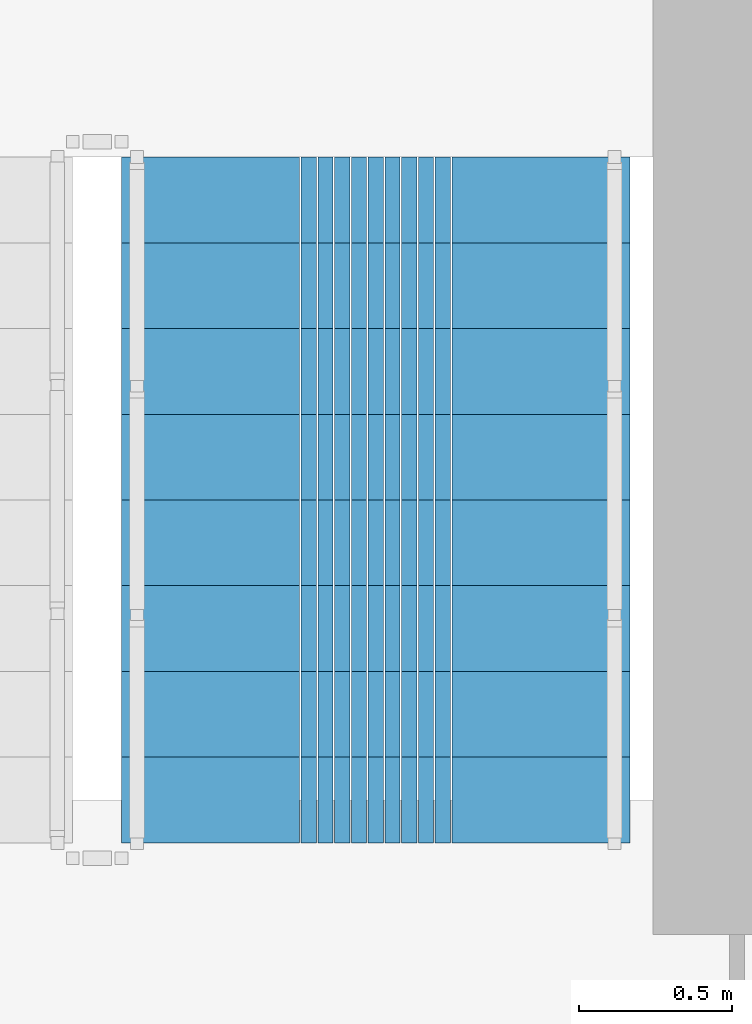
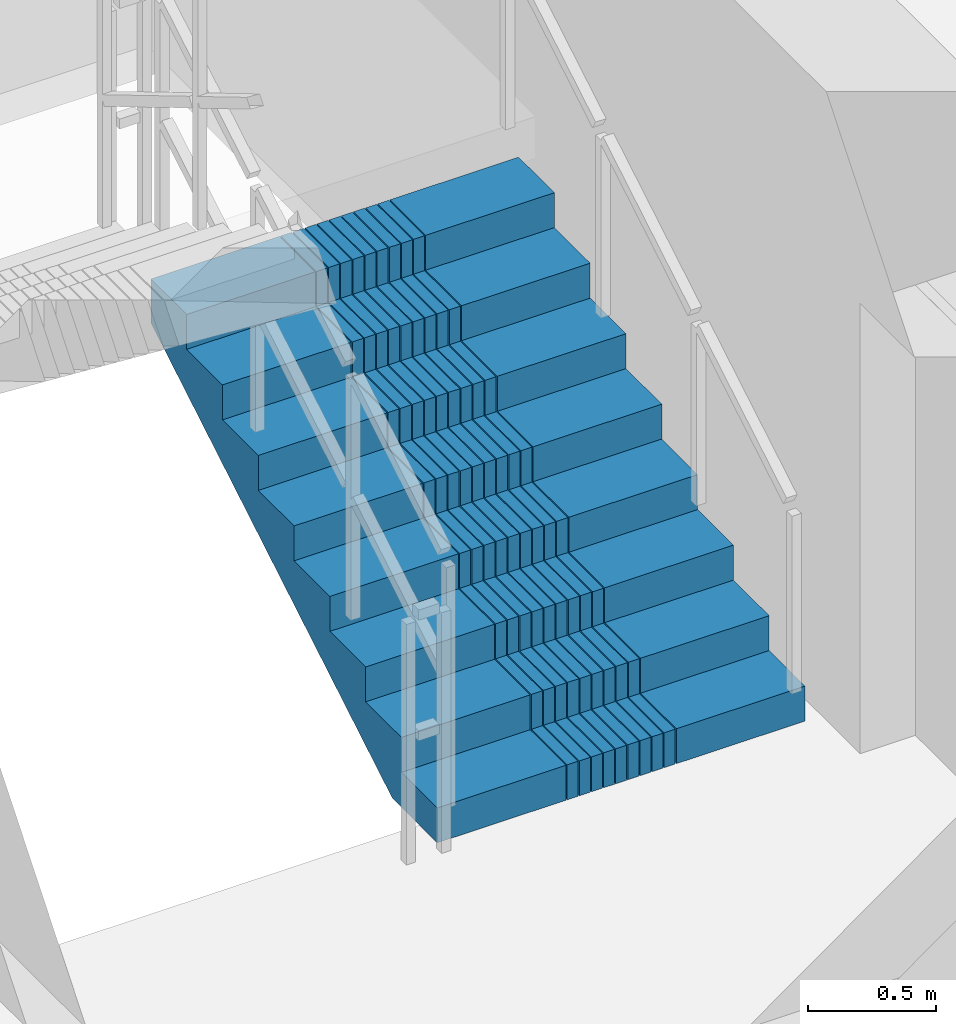
# One storey, part 9 of 13: 1 stair flight, 1 element without a shape of its own.
"""IFC4 building model written with IfcOpenShell, lengths in metres."""

from ifc_helpers import new_model, si_unit, direction, frame, origin, place, context, subcontext, project, spatial, polyline, outline, extrude, material, type_object, element, aggregate, save


model = new_model("IFC4")

# Units and contexts
model_context = context("Model", 3, precision=1e-05, world=origin(), true_north=direction((0.0, 1.0)))
body_context = subcontext(model_context, "Body", "Model", "MODEL_VIEW")
ifc_project = project(units=[si_unit("LENGTHUNIT", "METRE"), si_unit("AREAUNIT", "SQUARE_METRE"), si_unit("VOLUMEUNIT", "CUBIC_METRE"), si_unit("PLANEANGLEUNIT", "RADIAN"), si_unit("MASSUNIT", "GRAM", prefix="KILO")], contexts=[model_context])

# Site, building, storey
site_placement = place(None, origin())
site = spatial("IfcSite", under=ifc_project, at=site_placement, CompositionType="ELEMENT")
building_placement = place(site_placement, origin())
building = spatial("IfcBuilding", under=site, at=building_placement, Name="Saelheon Loggia Tower", CompositionType="ELEMENT")
storey_placement = place(building_placement, frame((0.0, 0.0, 132.75)))
storey = spatial("IfcBuildingStorey", under=building, at=storey_placement, Name="L42", CompositionType="ELEMENT", Elevation=132.75)

# Stair, stair flight
ifc_material = material(Name="Concrete C40/50", Category="concrete")
stair_type = type_object("IfcStairType", Name="Stair_Escape_Core", PredefinedType="HALF_TURN_STAIR", material=ifc_material)
stair_placement = place(storey_placement, origin())
stair = element("IfcStair", 1, at=stair_placement, inside=storey, type_object=stair_type, Name="L42 Special Escape Stair ST2", PredefinedType="HALF_TURN_STAIR")
stair_flight_type = type_object("IfcStairFlightType", Name="StairFlight_Tower_1660", PredefinedType="STRAIGHT", material=ifc_material)
stair_flight_placement = place(storey_placement, frame((43.320068359375, 30.449951171875, 0.0), z_axis=(0.0, 0.0, 1.0), x_axis=(0.0, 1.0, 0.0)))
stair_flight = element("IfcStairFlight", 2, at=stair_flight_placement, type_object=stair_flight_type, Name="ST2 flight 1", NumberOfRisers=9, NumberOfTreads=8, PredefinedType="STRAIGHT", RiserHeight=0.166666667, TreadLength=0.28, context=body_context, shape_type="SweptSolid", body=[
    extrude(outline(polyline([(0.0, 0.0), (0.0, 0.166748046875), (0.280029296875, 0.166748046875), (0.280029296875, 0.333251953125), (0.56005859375, 0.333251953125), (0.56005859375, 0.5), (0.840087890625, 0.5), (0.840087890625, 0.666748046875), (1.1201171875, 0.666748046875), (1.1201171875, 0.833251953125), (1.39990234375, 0.833251953125), (1.39990234375, 1.0), (1.679931640625, 1.0), (1.679931640625, 1.166748046875), (1.9599609375, 1.166748046875), (1.9599609375, 1.333251953125), (2.239990234375, 1.333251953125), (2.239990234375, 1.5), (2.239990234375, 1.1240234375), (0.351806640625, 0.0), (0.0, 0.0)])), frame((0.0, -0.2490234375, 0.0), z_axis=(0.0, -1.0, 0.0), x_axis=(1.0, 0.0, 0.0)), (0.0, 0.0, 1.0), 0.5810546875),
    extrude(outline(polyline([(0.0, 0.0), (0.0, 0.166748046875), (0.280029296875, 0.166748046875), (0.280029296875, 0.333251953125), (0.56005859375, 0.333251953125), (0.56005859375, 0.5), (0.840087890625, 0.5), (0.840087890625, 0.666748046875), (1.1201171875, 0.666748046875), (1.1201171875, 0.833251953125), (1.39990234375, 0.833251953125), (1.39990234375, 1.0), (1.679931640625, 1.0), (1.679931640625, 1.166748046875), (1.9599609375, 1.166748046875), (1.9599609375, 1.333251953125), (2.239990234375, 1.333251953125), (2.239990234375, 1.5), (2.239990234375, 1.1240234375), (0.351806640625, 0.0), (0.0, 0.0)])), frame((0.0, -0.194091796875, 0.0), z_axis=(0.0, -1.0, 0.0), x_axis=(1.0, 0.0, 0.0)), (0.0, 0.0, 1.0), 0.0498046875),
    extrude(outline(polyline([(0.0, 0.0), (0.0, 0.166748046875), (0.280029296875, 0.166748046875), (0.280029296875, 0.333251953125), (0.56005859375, 0.333251953125), (0.56005859375, 0.5), (0.840087890625, 0.5), (0.840087890625, 0.666748046875), (1.1201171875, 0.666748046875), (1.1201171875, 0.833251953125), (1.39990234375, 0.833251953125), (1.39990234375, 1.0), (1.679931640625, 1.0), (1.679931640625, 1.166748046875), (1.9599609375, 1.166748046875), (1.9599609375, 1.333251953125), (2.239990234375, 1.333251953125), (2.239990234375, 1.5), (2.239990234375, 1.1240234375), (0.351806640625, 0.0), (0.0, 0.0)])), frame((0.0, -0.139404296875, 0.0), z_axis=(0.0, -1.0, 0.0), x_axis=(1.0, 0.0, 0.0)), (0.0, 0.0, 1.0), 0.0498046875),
    extrude(outline(polyline([(0.0, 0.0), (0.0, 0.166748046875), (0.280029296875, 0.166748046875), (0.280029296875, 0.333251953125), (0.56005859375, 0.333251953125), (0.56005859375, 0.5), (0.840087890625, 0.5), (0.840087890625, 0.666748046875), (1.1201171875, 0.666748046875), (1.1201171875, 0.833251953125), (1.39990234375, 0.833251953125), (1.39990234375, 1.0), (1.679931640625, 1.0), (1.679931640625, 1.166748046875), (1.9599609375, 1.166748046875), (1.9599609375, 1.333251953125), (2.239990234375, 1.333251953125), (2.239990234375, 1.5), (2.239990234375, 1.1240234375), (0.351806640625, 0.0), (0.0, 0.0)])), frame((0.0, -0.084716796875, 0.0), z_axis=(0.0, -1.0, 0.0), x_axis=(1.0, 0.0, 0.0)), (0.0, 0.0, 1.0), 0.0498046875),
    extrude(outline(polyline([(0.0, 0.0), (0.0, 0.166748046875), (0.280029296875, 0.166748046875), (0.280029296875, 0.333251953125), (0.56005859375, 0.333251953125), (0.56005859375, 0.5), (0.840087890625, 0.5), (0.840087890625, 0.666748046875), (1.1201171875, 0.666748046875), (1.1201171875, 0.833251953125), (1.39990234375, 0.833251953125), (1.39990234375, 1.0), (1.679931640625, 1.0), (1.679931640625, 1.166748046875), (1.9599609375, 1.166748046875), (1.9599609375, 1.333251953125), (2.239990234375, 1.333251953125), (2.239990234375, 1.5), (2.239990234375, 1.1240234375), (0.351806640625, 0.0), (0.0, 0.0)])), frame((0.0, -0.02978515625, 0.0), z_axis=(0.0, -1.0, 0.0), x_axis=(1.0, 0.0, 0.0)), (0.0, 0.0, 1.0), 0.0498046875),
    extrude(outline(polyline([(0.0, 0.0), (0.0, 0.166748046875), (0.280029296875, 0.166748046875), (0.280029296875, 0.333251953125), (0.56005859375, 0.333251953125), (0.56005859375, 0.5), (0.840087890625, 0.5), (0.840087890625, 0.666748046875), (1.1201171875, 0.666748046875), (1.1201171875, 0.833251953125), (1.39990234375, 0.833251953125), (1.39990234375, 1.0), (1.679931640625, 1.0), (1.679931640625, 1.166748046875), (1.9599609375, 1.166748046875), (1.9599609375, 1.333251953125), (2.239990234375, 1.333251953125), (2.239990234375, 1.5), (2.239990234375, 1.1240234375), (0.351806640625, 0.0), (0.0, 0.0)])), frame((0.0, 0.02490234375, 0.0), z_axis=(0.0, -1.0, 0.0), x_axis=(1.0, 0.0, 0.0)), (0.0, 0.0, 1.0), 0.0498046875),
    extrude(outline(polyline([(0.0, 0.0), (0.0, 0.166748046875), (0.280029296875, 0.166748046875), (0.280029296875, 0.333251953125), (0.56005859375, 0.333251953125), (0.56005859375, 0.5), (0.840087890625, 0.5), (0.840087890625, 0.666748046875), (1.1201171875, 0.666748046875), (1.1201171875, 0.833251953125), (1.39990234375, 0.833251953125), (1.39990234375, 1.0), (1.679931640625, 1.0), (1.679931640625, 1.166748046875), (1.9599609375, 1.166748046875), (1.9599609375, 1.333251953125), (2.239990234375, 1.333251953125), (2.239990234375, 1.5), (2.239990234375, 1.1240234375), (0.351806640625, 0.0), (0.0, 0.0)])), frame((0.0, 0.07958984375, 0.0), z_axis=(0.0, -1.0, 0.0), x_axis=(1.0, 0.0, 0.0)), (0.0, 0.0, 1.0), 0.0498046875),
    extrude(outline(polyline([(0.0, 0.0), (0.0, 0.166748046875), (0.280029296875, 0.166748046875), (0.280029296875, 0.333251953125), (0.56005859375, 0.333251953125), (0.56005859375, 0.5), (0.840087890625, 0.5), (0.840087890625, 0.666748046875), (1.1201171875, 0.666748046875), (1.1201171875, 0.833251953125), (1.39990234375, 0.833251953125), (1.39990234375, 1.0), (1.679931640625, 1.0), (1.679931640625, 1.166748046875), (1.9599609375, 1.166748046875), (1.9599609375, 1.333251953125), (2.239990234375, 1.333251953125), (2.239990234375, 1.5), (2.239990234375, 1.1240234375), (0.351806640625, 0.0), (0.0, 0.0)])), frame((0.0, 0.134521484375, 0.0), z_axis=(0.0, -1.0, 0.0), x_axis=(1.0, 0.0, 0.0)), (0.0, 0.0, 1.0), 0.0498046875),
    extrude(outline(polyline([(0.0, 0.0), (0.0, 0.166748046875), (0.280029296875, 0.166748046875), (0.280029296875, 0.333251953125), (0.56005859375, 0.333251953125), (0.56005859375, 0.5), (0.840087890625, 0.5), (0.840087890625, 0.666748046875), (1.1201171875, 0.666748046875), (1.1201171875, 0.833251953125), (1.39990234375, 0.833251953125), (1.39990234375, 1.0), (1.679931640625, 1.0), (1.679931640625, 1.166748046875), (1.9599609375, 1.166748046875), (1.9599609375, 1.333251953125), (2.239990234375, 1.333251953125), (2.239990234375, 1.5), (2.239990234375, 1.1240234375), (0.351806640625, 0.0), (0.0, 0.0)])), frame((0.0, 0.189208984375, 0.0), z_axis=(0.0, -1.0, 0.0), x_axis=(1.0, 0.0, 0.0)), (0.0, 0.0, 1.0), 0.0498046875),
    extrude(outline(polyline([(0.0, 0.0), (0.0, 0.166748046875), (0.280029296875, 0.166748046875), (0.280029296875, 0.333251953125), (0.56005859375, 0.333251953125), (0.56005859375, 0.5), (0.840087890625, 0.5), (0.840087890625, 0.666748046875), (1.1201171875, 0.666748046875), (1.1201171875, 0.833251953125), (1.39990234375, 0.833251953125), (1.39990234375, 1.0), (1.679931640625, 1.0), (1.679931640625, 1.166748046875), (1.9599609375, 1.166748046875), (1.9599609375, 1.333251953125), (2.239990234375, 1.333251953125), (2.239990234375, 1.5), (2.239990234375, 1.1240234375), (0.351806640625, 0.0), (0.0, 0.0)])), frame((0.0, 0.243896484375, 0.0), z_axis=(0.0, -1.0, 0.0), x_axis=(1.0, 0.0, 0.0)), (0.0, 0.0, 1.0), 0.0498046875),
    extrude(outline(polyline([(0.0, 0.0), (0.0, 0.166748046875), (0.280029296875, 0.166748046875), (0.280029296875, 0.333251953125), (0.56005859375, 0.333251953125), (0.56005859375, 0.5), (0.840087890625, 0.5), (0.840087890625, 0.666748046875), (1.1201171875, 0.666748046875), (1.1201171875, 0.833251953125), (1.39990234375, 0.833251953125), (1.39990234375, 1.0), (1.679931640625, 1.0), (1.679931640625, 1.166748046875), (1.9599609375, 1.166748046875), (1.9599609375, 1.333251953125), (2.239990234375, 1.333251953125), (2.239990234375, 1.5), (2.239990234375, 1.1240234375), (0.351806640625, 0.0), (0.0, 0.0)])), frame((0.0, 0.830078125, 0.0), z_axis=(0.0, -1.0, 0.0), x_axis=(1.0, 0.0, 0.0)), (0.0, 0.0, 1.0), 0.5810546875),
])
aggregate(stair, [stair_flight])

save(model, "model.ifc")
